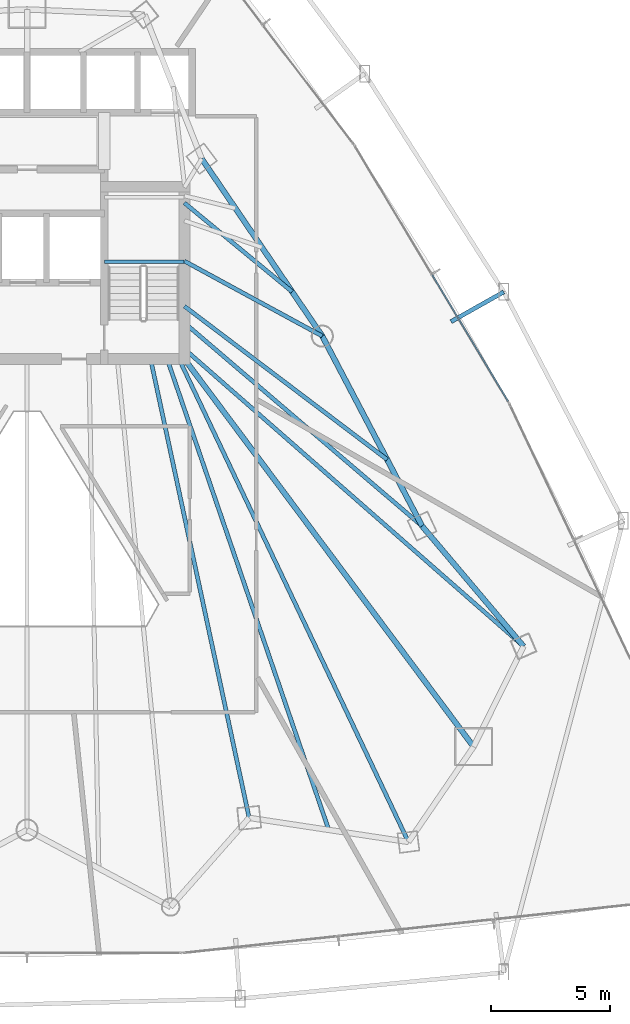
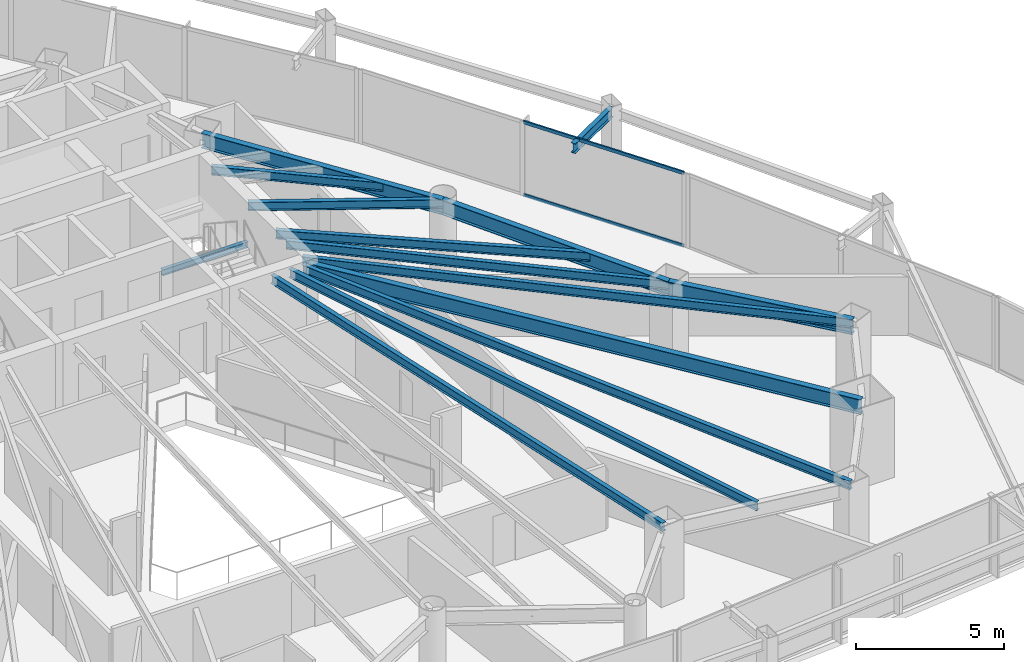
# One storey, part 19 of 37: 14 beams, 2 members, 1 element without a shape of its own.
"""IFC4 building model written with IfcOpenShell, lengths in metres."""

from ifc_helpers import new_model, si_unit, direction, frame, origin, origin_2d, place, context, subcontext, project, spatial, hollow_rectangle, i_section, extrude, material, layer, layer_set, material_profile, profile_set, type_object, element, aggregate, save


model = new_model("IFC4")

# Units and contexts
model_context = context("Model", 3, precision=1e-05, world=origin(), true_north=direction((0.0, 1.0)))
body_context = subcontext(model_context, "Body", "Model", "MODEL_VIEW")
ifc_project = project(units=[si_unit("LENGTHUNIT", "METRE"), si_unit("AREAUNIT", "SQUARE_METRE"), si_unit("VOLUMEUNIT", "CUBIC_METRE"), si_unit("PLANEANGLEUNIT", "RADIAN"), si_unit("MASSUNIT", "GRAM", prefix="KILO")], contexts=[model_context])

# Site, building, storey
site_placement = place(None, origin())
site = spatial("IfcSite", under=ifc_project, at=site_placement, CompositionType="ELEMENT")
building_placement = place(site_placement, origin())
building = spatial("IfcBuilding", under=site, at=building_placement, Name="Orvanel Arch Residences", CompositionType="ELEMENT")
storey_placement = place(building_placement, frame((0.0, 0.0, 53.300048828125)))
storey = spatial("IfcBuildingStorey", under=building, at=storey_placement, Name="L14", CompositionType="ELEMENT", Elevation=53.300048828125)

# Beams
ifc_material_1 = material(Name="Structural steel AS/NZS 3679.1 Grade 300 (300 MPa)", Category="steel")
ifc_material_profile_1 = material_profile(ifc_material_1, i_section(OverallWidth=0.22900390625, OverallDepth=0.612060546875, WebThickness=0.011962890625, FlangeThickness=0.01953125, at=origin_2d()), Name="610UB125")
ifc_profile_set_1 = profile_set([ifc_material_profile_1], Name="Structural steel AS/NZS 3679.1 Grade 300 (300 MPa)")
beam_type_1 = type_object("IfcBeamType", Name="BG-610UB", PredefinedType="BEAM", material=ifc_profile_set_1)
beam_1_placement = place(storey_placement, frame((39.625, 26.675048828125, 2.75390625), z_axis=(0.597893733742, -0.801575375839, 0.0), x_axis=(0.801575375839, 0.597893733742, 0.0)))
element("IfcBeam", 1, at=beam_1_placement, inside=storey, type_object=beam_type_1, Name="L14 South-East Radial Girder", PredefinedType="BEAM", context=body_context, shape_type="SweptSolid", body=[
    extrude(i_section(OverallWidth=0.22900390625, OverallDepth=0.612060546875, WebThickness=0.011962890625, FlangeThickness=0.01953125, at=origin_2d()), origin(), (0.0, 0.0, 1.0), 20.36474609375),
])
ifc_material_profile_2 = material_profile(ifc_material_1, i_section(OverallWidth=0.14599609375, OverallDepth=0.251953125, WebThickness=0.006103515625, FlangeThickness=0.008544921875, at=origin_2d()), Name="250UB31.4")
ifc_profile_set_2 = profile_set([ifc_material_profile_2], Name="Structural steel AS/NZS 3679.1 Grade 300 (300 MPa)")
beam_type_2 = type_object("IfcBeamType", Name="BJ-250UB", PredefinedType="JOIST", material=ifc_profile_set_2)
beam_2_placement = place(storey_placement, frame((36.25, 30.780029296875, 1.323974609375), z_axis=(1.0, 0.0, 0.0), x_axis=(0.0, 1.0, 0.0)))
element("IfcBeam", 2, at=beam_2_placement, inside=storey, type_object=beam_type_2, Name="L14 ST-2 Half-Landing Support Beam 1.1", PredefinedType="JOIST", context=body_context, shape_type="SweptSolid", body=[
    extrude(i_section(OverallWidth=0.14599609375, OverallDepth=0.251953125, WebThickness=0.006103515625, FlangeThickness=0.008544921875, at=origin_2d()), origin(), (0.0, 0.0, 1.0), 3.35009765625),
])
ifc_material_profile_3 = material_profile(ifc_material_1, i_section(OverallWidth=0.1708984375, OverallDepth=0.35595703125, WebThickness=0.00732421875, FlangeThickness=0.011474609375, at=origin_2d()), Name="360UB50.7")
ifc_profile_set_3 = profile_set([ifc_material_profile_3], Name="Structural steel AS/NZS 3679.1 Grade 300 (300 MPa)")
beam_type_3 = type_object("IfcBeamType", Name="BJ-360UB", PredefinedType="JOIST", material=ifc_profile_set_3)
beam_3_placement = place(storey_placement, frame((39.625, 30.800048828125, 2.8818359375), z_axis=(0.878399029914, -0.477927969726, 0.0), x_axis=(0.477927969726, 0.878399029914, 0.0)))
element("IfcBeam", 3, at=beam_3_placement, inside=storey, type_object=beam_type_3, Name="L14 NE Wing Floor Joist", PredefinedType="JOIST", context=body_context, shape_type="SweptSolid", body=[
    extrude(i_section(OverallWidth=0.1708984375, OverallDepth=0.35595703125, WebThickness=0.00732421875, FlangeThickness=0.011474609375, at=origin_2d()), origin(), (0.0, 0.0, 1.0), 6.609619140625),
])
beam_4_placement = place(storey_placement, frame((39.625, 28.199951171875, 2.8818359375), z_axis=(0.760024297953, -0.649894658018, 0.0), x_axis=(0.649894658018, 0.760024297953, 0.0)))
element("IfcBeam", 4, at=beam_4_placement, inside=storey, type_object=beam_type_3, Name="L14 E Wing Floor Joist", PredefinedType="JOIST", context=body_context, shape_type="SweptSolid", body=[
    extrude(i_section(OverallWidth=0.1708984375, OverallDepth=0.35595703125, WebThickness=0.00732421875, FlangeThickness=0.011474609375, at=origin_2d()), origin(), (0.0, 0.0, 1.0), 13.16796875),
])
beam_5_placement = place(storey_placement, frame((38.199951171875, 26.675048828125, 2.8818359375), z_axis=(0.210066515515, -0.977687096703, 0.0), x_axis=(0.977687096703, 0.210066515515, 0.0)))
element("IfcBeam", 5, at=beam_5_placement, inside=storey, type_object=beam_type_3, Name="L14 SE Wing Floor Joist", PredefinedType="JOIST", context=body_context, shape_type="SweptSolid", body=[
    extrude(i_section(OverallWidth=0.1708984375, OverallDepth=0.35595703125, WebThickness=0.00732421875, FlangeThickness=0.011474609375, at=origin_2d()), origin(), (0.0, 0.0, 1.0), 19.760986328125),
])
beam_6_placement = place(storey_placement, frame((39.625, 27.10009765625, 2.8818359375), z_axis=(0.751924114057, -0.659249669472, 0.0), x_axis=(0.659249669472, 0.751924114057, 0.0)))
element("IfcBeam", 6, at=beam_6_placement, inside=storey, type_object=beam_type_3, Name="L14 ME Wing Floor Joist", PredefinedType="JOIST", context=body_context, shape_type="SweptSolid", body=[
    extrude(i_section(OverallWidth=0.1708984375, OverallDepth=0.35595703125, WebThickness=0.00732421875, FlangeThickness=0.011474609375, at=origin_2d()), origin(), (0.0, 0.0, 1.0), 18.9912109375),
])
beam_7_placement = place(storey_placement, frame((39.39990234375, 26.675048828125, 2.8818359375), z_axis=(0.429042657795, -0.903284228686, 0.0), x_axis=(0.903284228686, 0.429042657795, 0.0)))
element("IfcBeam", 7, at=beam_7_placement, inside=storey, type_object=beam_type_3, Name="L14 MSE Wing Floor Joist", PredefinedType="JOIST", context=body_context, shape_type="SweptSolid", body=[
    extrude(i_section(OverallWidth=0.1708984375, OverallDepth=0.35595703125, WebThickness=0.00732421875, FlangeThickness=0.011474609375, at=origin_2d()), origin(), (0.0, 0.0, 1.0), 22.513427734375),
])
beam_8_placement = place(storey_placement, frame((39.625, 33.25, 2.8818359375), z_axis=(0.771468562814, -0.636267441089, 0.0), x_axis=(0.636267441089, 0.771468562814, 0.0)))
element("IfcBeam", 8, at=beam_8_placement, inside=storey, type_object=beam_type_3, Name="L14 LE Wing Floor Joist", PredefinedType="JOIST", context=body_context, shape_type="SweptSolid", body=[
    extrude(i_section(OverallWidth=0.1708984375, OverallDepth=0.35595703125, WebThickness=0.00732421875, FlangeThickness=0.011474609375, at=origin_2d()), origin(), (0.0, 0.0, 1.0), 5.879638671875),
])
beam_9_placement = place(storey_placement, frame((39.625, 28.89990234375, 2.8818359375), z_axis=(0.797519083104, -0.60329371958, 0.0), x_axis=(0.60329371958, 0.797519083104, 0.0)))
element("IfcBeam", 9, at=beam_9_placement, inside=storey, type_object=beam_type_3, Name="L14 CTE Wing Floor Joist", PredefinedType="JOIST", context=body_context, shape_type="SweptSolid", body=[
    extrude(i_section(OverallWidth=0.1708984375, OverallDepth=0.35595703125, WebThickness=0.00732421875, FlangeThickness=0.011474609375, at=origin_2d()), origin(), (0.0, 0.0, 1.0), 10.70458984375),
])
beam_10_placement = place(storey_placement, frame((38.89990234375, 26.675048828125, 2.8818359375), z_axis=(0.324621456495, -0.945844019901, 0.0), x_axis=(0.945844019901, 0.324621456495, 0.0)))
element("IfcBeam", 10, at=beam_10_placement, inside=storey, type_object=beam_type_3, Name="L14 JADD2 Wing Floor Joist", PredefinedType="JOIST", context=body_context, shape_type="SweptSolid", body=[
    extrude(i_section(OverallWidth=0.1708984375, OverallDepth=0.35595703125, WebThickness=0.00732421875, FlangeThickness=0.011474609375, at=origin_2d()), origin(), (0.0, 0.0, 1.0), 20.96337890625),
])
ifc_material_profile_4 = material_profile(ifc_material_1, i_section(OverallWidth=0.177978515625, OverallDepth=0.406005859375, WebThickness=0.0078125, FlangeThickness=0.0126953125, at=origin_2d()), Name="410UB59.7")
ifc_profile_set_4 = profile_set([ifc_material_profile_4], Name="Structural steel AS/NZS 3679.1 Grade 300 (300 MPa)")
beam_type_4 = type_object("IfcBeamType", Name="OB-410UB-EXT", PredefinedType="SPANDREL", material=ifc_profile_set_4)
beam_11_placement = place(storey_placement, frame((50.85205078125, 28.25, 2.85693359375), z_axis=(0.871383694473, 0.490602137181, 0.0), x_axis=(-0.490602137181, 0.871383694473, 0.0)))
element("IfcBeam", 11, at=beam_11_placement, inside=storey, type_object=beam_type_4, Name="L14 Outer Frame Radial Tie Beam 10", PredefinedType="SPANDREL", context=body_context, shape_type="SweptSolid", body=[
    extrude(i_section(OverallWidth=0.177978515625, OverallDepth=0.406005859375, WebThickness=0.0078125, FlangeThickness=0.0126953125, at=origin_2d()), origin(), (0.0, 0.0, 1.0), 2.5498046875),
])
ifc_material_profile_5 = material_profile(ifc_material_1, i_section(OverallWidth=0.22900390625, OverallDepth=0.612060546875, WebThickness=0.011962890625, FlangeThickness=0.01953125, at=origin_2d()), Name="610UB125")
ifc_profile_set_5 = profile_set([ifc_material_profile_5], Name="Structural steel AS/NZS 3679.1 Grade 300 (300 MPa)")
beam_type_5 = type_object("IfcBeamType", Name="SP-610UB", PredefinedType="SPANDREL", material=ifc_profile_set_5)
beam_12_placement = place(storey_placement, frame((53.905029296875, 14.580078125, 2.75390625), z_axis=(-0.644950329775, 0.764224490659, 0.0), x_axis=(-0.764224490659, -0.644950329775, 0.0)))
element("IfcBeam", 12, at=beam_12_placement, inside=storey, type_object=beam_type_5, Name="L14 Perimeter Spandrel Beam 12", PredefinedType="SPANDREL", context=body_context, shape_type="SweptSolid", body=[
    extrude(i_section(OverallWidth=0.22900390625, OverallDepth=0.612060546875, WebThickness=0.011962890625, FlangeThickness=0.01953125, at=origin_2d()), origin(), (0.0, 0.0, 1.0), 6.623779296875),
])
beam_13_placement = place(storey_placement, frame((49.633056640625, 19.64208984375, 2.75390625), z_axis=(-0.465064762793, 0.885276660942, 0.0), x_axis=(-0.885276660942, -0.465064762793, 0.0)))
element("IfcBeam", 13, at=beam_13_placement, inside=storey, type_object=beam_type_5, Name="L14 Perimeter Spandrel Beam 13", PredefinedType="SPANDREL", context=body_context, shape_type="SweptSolid", body=[
    extrude(i_section(OverallWidth=0.22900390625, OverallDepth=0.612060546875, WebThickness=0.011962890625, FlangeThickness=0.01953125, at=origin_2d()), origin(), (0.0, 0.0, 1.0), 9.03564453125),
])
beam_14_placement = place(storey_placement, frame((45.430908203125, 27.64111328125, 2.75390625), z_axis=(-0.562154793153, 0.827032035978, 0.0), x_axis=(-0.827032035978, -0.562154793153, 0.0)))
element("IfcBeam", 14, at=beam_14_placement, inside=storey, type_object=beam_type_5, Name="L14 Perimeter Spandrel Beam 14", PredefinedType="SPANDREL", context=body_context, shape_type="SweptSolid", body=[
    extrude(i_section(OverallWidth=0.22900390625, OverallDepth=0.612060546875, WebThickness=0.011962890625, FlangeThickness=0.01953125, at=origin_2d()), origin(), (0.0, 0.0, 1.0), 9.03466796875),
])

# Curtain wall, members
ifc_material_2 = material(Name="Bronze-anodised aluminium AA6063-T6", Category="aluminium")
ifc_layer = layer(ifc_material_2, 0.179931640625)
ifc_layer_set = layer_set([ifc_layer], Name="Bronze-anodised aluminium AA6063-T6")
curtain_wall_type = type_object("IfcCurtainWallType", Name="CW2-LOW-SYS", PredefinedType="NOTDEFINED", material=ifc_layer_set)
curtain_wall_placement = place(storey_placement, origin())
curtain_wall = element("IfcCurtainWall", 15, at=curtain_wall_placement, inside=storey, type_object=curtain_wall_type, Name="L14 CW2-LOW-SYS Unitised Curtain Wall", PredefinedType="NOTDEFINED")
ifc_material_profile_6 = material_profile(ifc_material_2, hollow_rectangle(XDim=0.06005859375, YDim=0.135009765625, WallThickness=0.00390625, at=origin_2d()), Name="ALU135x60x4")
ifc_profile_set_6 = profile_set([ifc_material_profile_6], Name="Bronze-anodised aluminium AA6063-T6")
member_type = type_object("IfcMemberType", Name="TRN-135x60", PredefinedType="USERDEFINED", material=ifc_profile_set_6)
member_1_placement = place(storey_placement, frame((53.2529296875, 24.89697265625, 0.030029296875), z_axis=(-0.514351154376, 0.857579669764, 0.0), x_axis=(-0.857579669764, -0.514351154376, 0.0)))
member_1 = element("IfcMember", 16, at=member_1_placement, type_object=member_type, Name="CW-S2 transom 1.1", ObjectType="TRANSOM", PredefinedType="USERDEFINED", context=body_context, shape_type="SweptSolid", body=[
    extrude(hollow_rectangle(XDim=0.06005859375, YDim=0.135009765625, WallThickness=0.00390625, at=origin_2d()), origin(), (0.0, 0.0, 1.0), 6.20751953125),
])
member_2_placement = place(storey_placement, frame((53.2529296875, 24.89697265625, 3.030029296875), z_axis=(-0.514351154376, 0.857579669764, 0.0), x_axis=(-0.857579669764, -0.514351154376, 0.0)))
member_2 = element("IfcMember", 17, at=member_2_placement, type_object=member_type, Name="CW-S2 transom 1.2", ObjectType="TRANSOM", PredefinedType="USERDEFINED", context=body_context, shape_type="SweptSolid", body=[
    extrude(hollow_rectangle(XDim=0.06005859375, YDim=0.135009765625, WallThickness=0.00390625, at=origin_2d()), origin(), (0.0, 0.0, 1.0), 6.20751953125),
])
aggregate(curtain_wall, [member_1, member_2])

save(model, "model.ifc")
